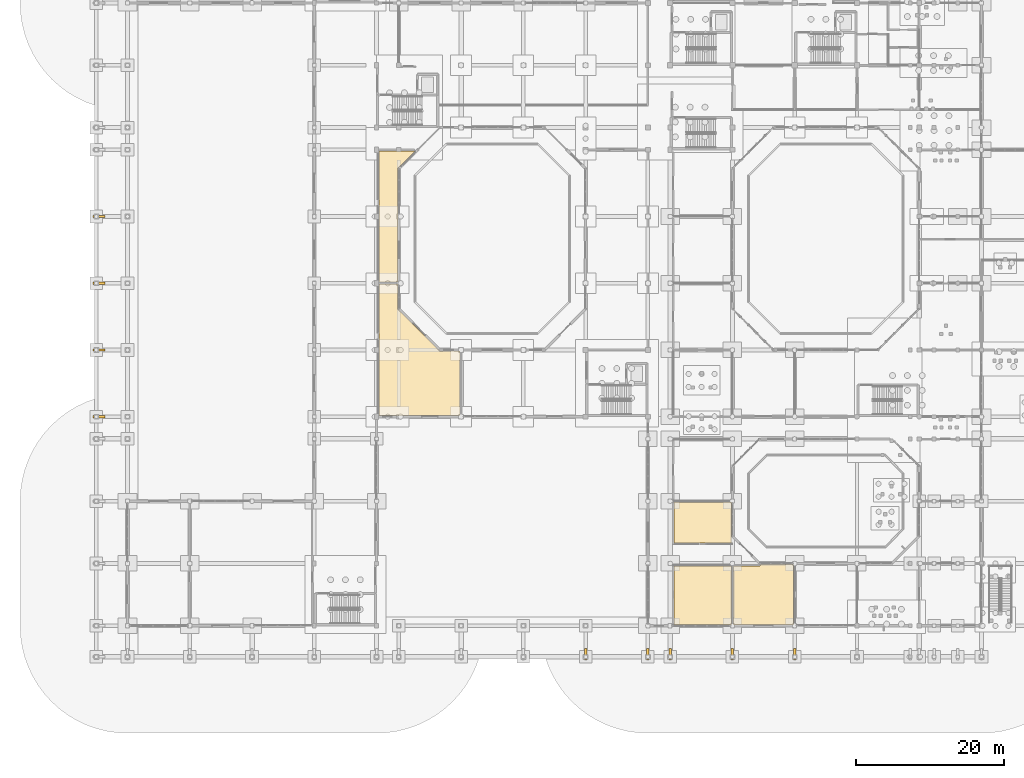
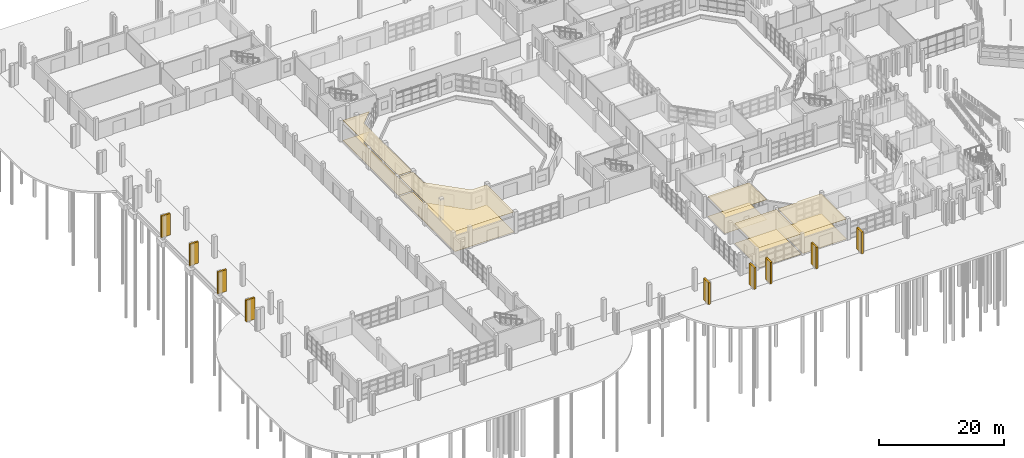
# One storey, part 72 of 88: 19 coverings.
"""IFC4 building model written with IfcOpenShell, lengths in metres."""

from ifc_helpers import new_model, si_unit, direction, frame, origin, origin_2d, place, context, subcontext, project, spatial, polyline, rectangle, outline, extrude, material, layer, layer_set, type_object, element, save


model = new_model("IFC4")

# Units and contexts
model_context = context("Model", 3, precision=1e-05, world=origin(), true_north=direction((0.0, 1.0)))
body_context = subcontext(model_context, "Body", "Model", "MODEL_VIEW")
ifc_project = project(units=[si_unit("LENGTHUNIT", "METRE"), si_unit("AREAUNIT", "SQUARE_METRE"), si_unit("VOLUMEUNIT", "CUBIC_METRE"), si_unit("PLANEANGLEUNIT", "RADIAN"), si_unit("MASSUNIT", "GRAM", prefix="KILO")], contexts=[model_context])

# Site, building, storey
site_placement = place(None, origin())
site = spatial("IfcSite", under=ifc_project, at=site_placement, CompositionType="ELEMENT")
building_placement = place(site_placement, origin())
building = spatial("IfcBuilding", under=site, at=building_placement, Name="Vanh Quang Courtyard School", CompositionType="ELEMENT")
storey_placement = place(building_placement, origin())
storey = spatial("IfcBuildingStorey", under=building, at=storey_placement, Name="L00", CompositionType="ELEMENT", Elevation=0.0)

# Coverings
ifc_material_1 = material(Name="Perforated mineral-fibre acoustic ceiling board")
ifc_layer_1 = layer(ifc_material_1, 0.02490234375)
ifc_layer_set_1 = layer_set([ifc_layer_1], Name="Perforated mineral-fibre acoustic ceiling board")
covering_type_1 = type_object("IfcCoveringType", Name="COV-CEIL-ACOUSTIC", PredefinedType="CEILING", material=ifc_layer_set_1)
covering_1_placement = place(storey_placement, frame((0.0, 0.0, 3.89501953125)))
element("IfcCovering", 1, at=covering_1_placement, inside=storey, type_object=covering_type_1, Name="Covering CV-CL1 (L00)", PredefinedType="CEILING", context=body_context, shape_type="SweptSolid", body=[
    extrude(outline(polyline([(38.159912109375, 32.530029296875), (38.158935546875, 32.530029296875), (38.157958984375, 32.5302734375), (38.156982421875, 32.530517578125), (38.15625, 32.53076171875), (38.1552734375, 32.53125), (38.154296875, 32.53173828125), (38.15380859375, 32.5322265625), (38.15283203125, 32.532958984375), (38.15234375, 32.53369140625), (38.151611328125, 32.534423828125), (38.151123046875, 32.535400390625), (38.15087890625, 32.5361328125), (38.150390625, 32.537109375), (38.150146484375, 32.5380859375), (38.14990234375, 32.5390625), (38.14990234375, 32.5400390625), (38.14990234375, 50.260009765625), (38.14990234375, 50.260986328125), (38.150146484375, 50.261962890625), (38.150390625, 50.262939453125), (38.15087890625, 50.263916015625), (38.151123046875, 50.2646484375), (38.151611328125, 50.265625), (38.15234375, 50.266357421875), (38.15283203125, 50.26708984375), (38.15380859375, 50.267578125), (38.154296875, 50.268310546875), (38.1552734375, 50.268798828125), (38.15625, 50.269287109375), (38.156982421875, 50.26953125), (38.157958984375, 50.269775390625), (38.158935546875, 50.27001953125), (38.159912109375, 50.27001953125), (40.659912109375, 50.27001953125), (40.660888671875, 50.27001953125), (40.662109375, 50.269775390625), (40.662841796875, 50.26953125), (40.663818359375, 50.269287109375), (40.664794921875, 50.268798828125), (40.66552734375, 50.268310546875), (40.666259765625, 50.267578125), (40.6669921875, 50.26708984375), (40.667724609375, 50.266357421875), (40.668212890625, 50.265625), (40.668701171875, 50.2646484375), (40.669189453125, 50.263916015625), (40.669677734375, 50.262939453125), (40.669921875, 50.261962890625), (40.669921875, 50.260986328125), (40.669921875, 50.260009765625), (40.669921875, 46.945068359375), (40.68017578125, 46.894287109375), (40.708740234375, 46.851318359375), (46.27197265625, 41.2919921875), (46.306396484375, 41.275634765625), (46.3447265625, 41.27001953125), (49.06005859375, 41.27001953125), (49.06103515625, 41.27001953125), (49.06201171875, 41.269775390625), (49.06298828125, 41.26953125), (49.063720703125, 41.269287109375), (49.064697265625, 41.268798828125), (49.065673828125, 41.268310546875), (49.06640625, 41.267578125), (49.067138671875, 41.26708984375), (49.067626953125, 41.266357421875), (49.068359375, 41.265625), (49.06884765625, 41.2646484375), (49.069091796875, 41.263916015625), (49.069580078125, 41.262939453125), (49.06982421875, 41.261962890625), (49.070068359375, 41.260986328125), (49.070068359375, 41.260009765625), (49.070068359375, 32.5400390625), (49.070068359375, 32.5390625), (49.06982421875, 32.5380859375), (49.069580078125, 32.537109375), (49.069091796875, 32.5361328125), (49.06884765625, 32.535400390625), (49.068359375, 32.534423828125), (49.067626953125, 32.53369140625), (49.067138671875, 32.532958984375), (49.06640625, 32.5322265625), (49.065673828125, 32.53173828125), (49.064697265625, 32.53125), (49.063720703125, 32.53076171875), (49.06298828125, 32.530517578125), (49.06201171875, 32.5302734375), (49.06103515625, 32.530029296875), (49.06005859375, 32.530029296875), (38.159912109375, 32.530029296875)])), origin(), (0.0, 0.0, 1.0), 0.02490234375),
])
covering_2_placement = place(storey_placement, frame((0.0, 0.0, 3.89501953125)))
element("IfcCovering", 2, at=covering_2_placement, inside=storey, type_object=covering_type_1, Name="Covering CV-CL1 (L00)", PredefinedType="CEILING", context=body_context, shape_type="SweptSolid", body=[
    extrude(outline(polyline([(38.159912109375, 50.550048828125), (38.158935546875, 50.550048828125), (38.157958984375, 50.55029296875), (38.156982421875, 50.55029296875), (38.15625, 50.55078125), (38.1552734375, 50.55126953125), (38.154296875, 50.5517578125), (38.15380859375, 50.55224609375), (38.15283203125, 50.552978515625), (38.15234375, 50.5537109375), (38.151611328125, 50.554443359375), (38.151123046875, 50.555419921875), (38.15087890625, 50.55615234375), (38.150390625, 50.55712890625), (38.150146484375, 50.55810546875), (38.14990234375, 50.55908203125), (38.14990234375, 50.56005859375), (38.14990234375, 68.260009765625), (38.14990234375, 68.260986328125), (38.150146484375, 68.261962890625), (38.150390625, 68.262939453125), (38.15087890625, 68.263916015625), (38.151123046875, 68.2646484375), (38.151611328125, 68.265625), (38.15234375, 68.266357421875), (38.15283203125, 68.26708984375), (38.15380859375, 68.267578125), (38.154296875, 68.268310546875), (38.1552734375, 68.268798828125), (38.15625, 68.269287109375), (38.156982421875, 68.26953125), (38.157958984375, 68.269775390625), (38.158935546875, 68.27001953125), (38.159912109375, 68.27001953125), (43.006103515625, 68.27001953125), (43.007080078125, 68.27001953125), (43.008056640625, 68.269775390625), (43.0087890625, 68.26953125), (43.009765625, 68.269287109375), (43.0107421875, 68.268798828125), (43.01171875, 68.268310546875), (43.01220703125, 68.267578125), (43.01318359375, 68.26708984375), (43.013671875, 68.266357421875), (43.014404296875, 68.265625), (43.014892578125, 68.2646484375), (43.01513671875, 68.263916015625), (43.015625, 68.262939453125), (43.015869140625, 68.261962890625), (43.01611328125, 68.260986328125), (43.01611328125, 68.260009765625), (43.01611328125, 68.259033203125), (43.015869140625, 68.258056640625), (43.015625, 68.257080078125), (43.01513671875, 68.256103515625), (43.014892578125, 68.25537109375), (43.014404296875, 68.25439453125), (43.013671875, 68.253662109375), (43.01318359375, 68.2529296875), (40.708740234375, 65.948486328125), (40.679931640625, 65.905517578125), (40.670654296875, 65.868408203125), (40.669921875, 50.56005859375), (40.669921875, 50.55908203125), (40.669921875, 50.55810546875), (40.669677734375, 50.55712890625), (40.669189453125, 50.55615234375), (40.668701171875, 50.555419921875), (40.668212890625, 50.554443359375), (40.667724609375, 50.5537109375), (40.6669921875, 50.552978515625), (40.666259765625, 50.55224609375), (40.66552734375, 50.5517578125), (40.664794921875, 50.55126953125), (40.663818359375, 50.55078125), (40.662841796875, 50.55029296875), (40.662109375, 50.55029296875), (40.660888671875, 50.550048828125), (40.659912109375, 50.550048828125), (38.159912109375, 50.550048828125)])), origin(), (0.0, 0.0, 1.0), 0.02490234375),
])
covering_3_placement = place(storey_placement, frame((0.0, 0.0, 3.89501953125)))
element("IfcCovering", 3, at=covering_3_placement, inside=storey, type_object=covering_type_1, Name="Covering CV-CL1 (L00)", PredefinedType="CEILING", context=body_context, shape_type="SweptSolid", body=[
    extrude(outline(polyline([(77.9599609375, 4.330078125), (77.958984375, 4.330078125), (77.9580078125, 4.330078125), (77.95703125, 4.330322265625), (77.956298828125, 4.330810546875), (77.955322265625, 4.331298828125), (77.954345703125, 4.331787109375), (77.95361328125, 4.332275390625), (77.952880859375, 4.3330078125), (77.952392578125, 4.333740234375), (77.95166015625, 4.33447265625), (77.951171875, 4.335205078125), (77.95068359375, 4.336181640625), (77.950439453125, 4.337158203125), (77.9501953125, 4.337890625), (77.949951171875, 4.339111328125), (77.949951171875, 4.340087890625), (77.949951171875, 12.239990234375), (77.949951171875, 12.240966796875), (77.9501953125, 12.241943359375), (77.950439453125, 12.242919921875), (77.95068359375, 12.243896484375), (77.951171875, 12.24462890625), (77.95166015625, 12.24560546875), (77.952392578125, 12.246337890625), (77.952880859375, 12.2470703125), (77.95361328125, 12.247802734375), (77.954345703125, 12.248291015625), (77.955322265625, 12.248779296875), (77.956298828125, 12.249267578125), (77.95703125, 12.24951171875), (77.9580078125, 12.249755859375), (77.958984375, 12.25), (77.9599609375, 12.25), (85.659912109375, 12.25), (85.660888671875, 12.25), (85.662109375, 12.249755859375), (85.662841796875, 12.24951171875), (85.663818359375, 12.249267578125), (85.664794921875, 12.248779296875), (85.66552734375, 12.248291015625), (85.666259765625, 12.247802734375), (85.6669921875, 12.2470703125), (85.667724609375, 12.246337890625), (85.668212890625, 12.24560546875), (85.668701171875, 12.24462890625), (85.669189453125, 12.243896484375), (85.669677734375, 12.242919921875), (85.669921875, 12.241943359375), (85.669921875, 12.240966796875), (85.669921875, 12.239990234375), (85.669921875, 4.340087890625), (85.669921875, 4.339111328125), (85.669921875, 4.337890625), (85.669677734375, 4.337158203125), (85.669189453125, 4.336181640625), (85.668701171875, 4.335205078125), (85.668212890625, 4.33447265625), (85.667724609375, 4.333740234375), (85.6669921875, 4.3330078125), (85.666259765625, 4.332275390625), (85.66552734375, 4.331787109375), (85.664794921875, 4.331298828125), (85.663818359375, 4.330810546875), (85.662841796875, 4.330322265625), (85.662109375, 4.330078125), (85.660888671875, 4.330078125), (85.659912109375, 4.330078125), (77.9599609375, 4.330078125)])), origin(), (0.0, 0.0, 1.0), 0.02490234375),
])
covering_4_placement = place(storey_placement, frame((0.0, 0.0, 3.89501953125)))
element("IfcCovering", 4, at=covering_4_placement, inside=storey, type_object=covering_type_1, Name="Covering CV-CL1 (L00)", PredefinedType="CEILING", context=body_context, shape_type="SweptSolid", body=[
    extrude(outline(polyline([(77.9599609375, 15.35009765625), (77.958984375, 15.35009765625), (77.9580078125, 15.35009765625), (77.95703125, 15.350341796875), (77.956298828125, 15.350830078125), (77.955322265625, 15.351318359375), (77.954345703125, 15.351806640625), (77.95361328125, 15.352294921875), (77.952880859375, 15.352783203125), (77.952392578125, 15.353759765625), (77.95166015625, 15.3544921875), (77.951171875, 15.355224609375), (77.95068359375, 15.356201171875), (77.950439453125, 15.357177734375), (77.9501953125, 15.35791015625), (77.949951171875, 15.35888671875), (77.949951171875, 15.360107421875), (77.949951171875, 20.860107421875), (77.949951171875, 20.861083984375), (77.9501953125, 20.862060546875), (77.950439453125, 20.86279296875), (77.95068359375, 20.86376953125), (77.951171875, 20.86474609375), (77.95166015625, 20.865478515625), (77.952392578125, 20.8662109375), (77.952880859375, 20.8671875), (77.95361328125, 20.86767578125), (77.954345703125, 20.868408203125), (77.955322265625, 20.868896484375), (77.956298828125, 20.869140625), (77.95703125, 20.86962890625), (77.9580078125, 20.869873046875), (77.958984375, 20.8701171875), (77.9599609375, 20.8701171875), (85.659912109375, 20.8701171875), (85.660888671875, 20.8701171875), (85.662109375, 20.869873046875), (85.662841796875, 20.86962890625), (85.663818359375, 20.869140625), (85.664794921875, 20.868896484375), (85.66552734375, 20.868408203125), (85.666259765625, 20.86767578125), (85.6669921875, 20.8671875), (85.667724609375, 20.8662109375), (85.668212890625, 20.865478515625), (85.668701171875, 20.86474609375), (85.669189453125, 20.86376953125), (85.669677734375, 20.86279296875), (85.669921875, 20.862060546875), (85.669921875, 20.861083984375), (85.669921875, 20.860107421875), (85.669921875, 15.360107421875), (85.669921875, 15.35888671875), (85.669921875, 15.35791015625), (85.669677734375, 15.357177734375), (85.669189453125, 15.356201171875), (85.668701171875, 15.355224609375), (85.668212890625, 15.3544921875), (85.667724609375, 15.353759765625), (85.6669921875, 15.352783203125), (85.666259765625, 15.352294921875), (85.66552734375, 15.351806640625), (85.664794921875, 15.351318359375), (85.663818359375, 15.350830078125), (85.662841796875, 15.350341796875), (85.662109375, 15.35009765625), (85.660888671875, 15.35009765625), (85.659912109375, 15.35009765625), (77.9599609375, 15.35009765625)])), origin(), (0.0, 0.0, 1.0), 0.02490234375),
])
covering_5_placement = place(storey_placement, frame((0.0, 0.0, 3.89501953125)))
element("IfcCovering", 5, at=covering_5_placement, inside=storey, type_object=covering_type_1, Name="Covering CV-CL1 (L00)", PredefinedType="CEILING", context=body_context, shape_type="SweptSolid", body=[
    extrude(outline(polyline([(85.9599609375, 4.330078125), (85.958984375, 4.330078125), (85.9580078125, 4.330078125), (85.95703125, 4.330322265625), (85.956298828125, 4.330810546875), (85.955322265625, 4.331298828125), (85.954345703125, 4.331787109375), (85.95361328125, 4.332275390625), (85.952880859375, 4.3330078125), (85.952392578125, 4.333740234375), (85.95166015625, 4.33447265625), (85.951171875, 4.335205078125), (85.95068359375, 4.336181640625), (85.950439453125, 4.337158203125), (85.9501953125, 4.337890625), (85.949951171875, 4.339111328125), (85.949951171875, 4.340087890625), (85.949951171875, 12.239990234375), (85.949951171875, 12.240966796875), (85.9501953125, 12.241943359375), (85.950439453125, 12.242919921875), (85.95068359375, 12.243896484375), (85.951171875, 12.24462890625), (85.95166015625, 12.24560546875), (85.952392578125, 12.246337890625), (85.952880859375, 12.2470703125), (85.95361328125, 12.247802734375), (85.954345703125, 12.248291015625), (85.955322265625, 12.248779296875), (85.956298828125, 12.249267578125), (85.95703125, 12.24951171875), (85.9580078125, 12.249755859375), (85.958984375, 12.25), (85.9599609375, 12.25), (89.37939453125, 12.2509765625), (89.462646484375, 12.269775390625), (89.547119140625, 12.3203125), (89.6025390625, 12.384521484375), (89.637939453125, 12.464111328125), (89.63818359375, 12.46484375), (89.638916015625, 12.4658203125), (89.639404296875, 12.466552734375), (89.639892578125, 12.46728515625), (89.640869140625, 12.4677734375), (89.6416015625, 12.468505859375), (89.642333984375, 12.468994140625), (89.643310546875, 12.46923828125), (89.644287109375, 12.469482421875), (89.64501953125, 12.4697265625), (89.64599609375, 12.469970703125), (89.64697265625, 12.469970703125), (94.06005859375, 12.469970703125), (94.06103515625, 12.469970703125), (94.06201171875, 12.4697265625), (94.06298828125, 12.469482421875), (94.063720703125, 12.46923828125), (94.064697265625, 12.46875), (94.065673828125, 12.46826171875), (94.06640625, 12.4677734375), (94.067138671875, 12.467041015625), (94.067626953125, 12.46630859375), (94.068359375, 12.465576171875), (94.06884765625, 12.464599609375), (94.069091796875, 12.4638671875), (94.069580078125, 12.462890625), (94.06982421875, 12.4619140625), (94.070068359375, 12.4609375), (94.070068359375, 12.4599609375), (94.070068359375, 4.340087890625), (94.070068359375, 4.339111328125), (94.06982421875, 4.337890625), (94.069580078125, 4.337158203125), (94.069091796875, 4.336181640625), (94.06884765625, 4.335205078125), (94.068359375, 4.33447265625), (94.067626953125, 4.333740234375), (94.067138671875, 4.3330078125), (94.06640625, 4.332275390625), (94.065673828125, 4.331787109375), (94.064697265625, 4.331298828125), (94.063720703125, 4.330810546875), (94.06298828125, 4.330322265625), (94.06201171875, 4.330078125), (94.06103515625, 4.330078125), (94.06005859375, 4.330078125), (85.9599609375, 4.330078125)])), origin(), (0.0, 0.0, 1.0), 0.02490234375),
])
ifc_material_2 = material(Name="Polished cementitious terrazzo tile", Category="concrete")
ifc_layer_2 = layer(ifc_material_2, 0.02001953125)
ifc_layer_set_2 = layer_set([ifc_layer_2], Name="Polished cementitious terrazzo tile")
covering_type_2 = type_object("IfcCoveringType", Name="COV-FLR-TERRAZZO", PredefinedType="FLOORING", material=ifc_layer_set_2)
covering_6_placement = place(storey_placement, origin())
element("IfcCovering", 6, at=covering_6_placement, inside=storey, type_object=covering_type_2, Name="Covering CV-FL1 (L00)", PredefinedType="FLOORING", context=body_context, shape_type="SweptSolid", body=[
    extrude(outline(polyline([(38.159912109375, 32.530029296875), (38.158935546875, 32.530029296875), (38.157958984375, 32.5302734375), (38.156982421875, 32.530517578125), (38.15625, 32.53076171875), (38.1552734375, 32.53125), (38.154296875, 32.53173828125), (38.15380859375, 32.5322265625), (38.15283203125, 32.532958984375), (38.15234375, 32.53369140625), (38.151611328125, 32.534423828125), (38.151123046875, 32.535400390625), (38.15087890625, 32.5361328125), (38.150390625, 32.537109375), (38.150146484375, 32.5380859375), (38.14990234375, 32.5390625), (38.14990234375, 32.5400390625), (38.14990234375, 50.260009765625), (38.14990234375, 50.260986328125), (38.150146484375, 50.261962890625), (38.150390625, 50.262939453125), (38.15087890625, 50.263916015625), (38.151123046875, 50.2646484375), (38.151611328125, 50.265625), (38.15234375, 50.266357421875), (38.15283203125, 50.26708984375), (38.15380859375, 50.267578125), (38.154296875, 50.268310546875), (38.1552734375, 50.268798828125), (38.15625, 50.269287109375), (38.156982421875, 50.26953125), (38.157958984375, 50.269775390625), (38.158935546875, 50.27001953125), (38.159912109375, 50.27001953125), (40.659912109375, 50.27001953125), (40.660888671875, 50.27001953125), (40.662109375, 50.269775390625), (40.662841796875, 50.26953125), (40.663818359375, 50.269287109375), (40.664794921875, 50.268798828125), (40.66552734375, 50.268310546875), (40.666259765625, 50.267578125), (40.6669921875, 50.26708984375), (40.667724609375, 50.266357421875), (40.668212890625, 50.265625), (40.668701171875, 50.2646484375), (40.669189453125, 50.263916015625), (40.669677734375, 50.262939453125), (40.669921875, 50.261962890625), (40.669921875, 50.260986328125), (40.669921875, 50.260009765625), (40.669921875, 46.945068359375), (40.68017578125, 46.894287109375), (40.708740234375, 46.851318359375), (46.27197265625, 41.2919921875), (46.306396484375, 41.275634765625), (46.3447265625, 41.27001953125), (49.06005859375, 41.27001953125), (49.06103515625, 41.27001953125), (49.06201171875, 41.269775390625), (49.06298828125, 41.26953125), (49.063720703125, 41.269287109375), (49.064697265625, 41.268798828125), (49.065673828125, 41.268310546875), (49.06640625, 41.267578125), (49.067138671875, 41.26708984375), (49.067626953125, 41.266357421875), (49.068359375, 41.265625), (49.06884765625, 41.2646484375), (49.069091796875, 41.263916015625), (49.069580078125, 41.262939453125), (49.06982421875, 41.261962890625), (49.070068359375, 41.260986328125), (49.070068359375, 41.260009765625), (49.070068359375, 32.5400390625), (49.070068359375, 32.5390625), (49.06982421875, 32.5380859375), (49.069580078125, 32.537109375), (49.069091796875, 32.5361328125), (49.06884765625, 32.535400390625), (49.068359375, 32.534423828125), (49.067626953125, 32.53369140625), (49.067138671875, 32.532958984375), (49.06640625, 32.5322265625), (49.065673828125, 32.53173828125), (49.064697265625, 32.53125), (49.063720703125, 32.53076171875), (49.06298828125, 32.530517578125), (49.06201171875, 32.5302734375), (49.06103515625, 32.530029296875), (49.06005859375, 32.530029296875), (38.159912109375, 32.530029296875)])), origin(), (0.0, 0.0, 1.0), 0.02001953125),
])
covering_7_placement = place(storey_placement, origin())
element("IfcCovering", 7, at=covering_7_placement, inside=storey, type_object=covering_type_2, Name="Covering CV-FL1 (L00)", PredefinedType="FLOORING", context=body_context, shape_type="SweptSolid", body=[
    extrude(outline(polyline([(38.159912109375, 50.550048828125), (38.158935546875, 50.550048828125), (38.157958984375, 50.55029296875), (38.156982421875, 50.55029296875), (38.15625, 50.55078125), (38.1552734375, 50.55126953125), (38.154296875, 50.5517578125), (38.15380859375, 50.55224609375), (38.15283203125, 50.552978515625), (38.15234375, 50.5537109375), (38.151611328125, 50.554443359375), (38.151123046875, 50.555419921875), (38.15087890625, 50.55615234375), (38.150390625, 50.55712890625), (38.150146484375, 50.55810546875), (38.14990234375, 50.55908203125), (38.14990234375, 50.56005859375), (38.14990234375, 68.260009765625), (38.14990234375, 68.260986328125), (38.150146484375, 68.261962890625), (38.150390625, 68.262939453125), (38.15087890625, 68.263916015625), (38.151123046875, 68.2646484375), (38.151611328125, 68.265625), (38.15234375, 68.266357421875), (38.15283203125, 68.26708984375), (38.15380859375, 68.267578125), (38.154296875, 68.268310546875), (38.1552734375, 68.268798828125), (38.15625, 68.269287109375), (38.156982421875, 68.26953125), (38.157958984375, 68.269775390625), (38.158935546875, 68.27001953125), (38.159912109375, 68.27001953125), (43.006103515625, 68.27001953125), (43.007080078125, 68.27001953125), (43.008056640625, 68.269775390625), (43.0087890625, 68.26953125), (43.009765625, 68.269287109375), (43.0107421875, 68.268798828125), (43.01171875, 68.268310546875), (43.01220703125, 68.267578125), (43.01318359375, 68.26708984375), (43.013671875, 68.266357421875), (43.014404296875, 68.265625), (43.014892578125, 68.2646484375), (43.01513671875, 68.263916015625), (43.015625, 68.262939453125), (43.015869140625, 68.261962890625), (43.01611328125, 68.260986328125), (43.01611328125, 68.260009765625), (43.01611328125, 68.259033203125), (43.015869140625, 68.258056640625), (43.015625, 68.257080078125), (43.01513671875, 68.256103515625), (43.014892578125, 68.25537109375), (43.014404296875, 68.25439453125), (43.013671875, 68.253662109375), (43.01318359375, 68.2529296875), (40.708740234375, 65.948486328125), (40.679931640625, 65.905517578125), (40.670654296875, 65.868408203125), (40.669921875, 50.56005859375), (40.669921875, 50.55908203125), (40.669921875, 50.55810546875), (40.669677734375, 50.55712890625), (40.669189453125, 50.55615234375), (40.668701171875, 50.555419921875), (40.668212890625, 50.554443359375), (40.667724609375, 50.5537109375), (40.6669921875, 50.552978515625), (40.666259765625, 50.55224609375), (40.66552734375, 50.5517578125), (40.664794921875, 50.55126953125), (40.663818359375, 50.55078125), (40.662841796875, 50.55029296875), (40.662109375, 50.55029296875), (40.660888671875, 50.550048828125), (40.659912109375, 50.550048828125), (38.159912109375, 50.550048828125)])), origin(), (0.0, 0.0, 1.0), 0.02001953125),
])
covering_8_placement = place(storey_placement, origin())
element("IfcCovering", 8, at=covering_8_placement, inside=storey, type_object=covering_type_2, Name="Covering CV-FL1 (L00)", PredefinedType="FLOORING", context=body_context, shape_type="SweptSolid", body=[
    extrude(outline(polyline([(77.9599609375, 4.330078125), (77.958984375, 4.330078125), (77.9580078125, 4.330078125), (77.95703125, 4.330322265625), (77.956298828125, 4.330810546875), (77.955322265625, 4.331298828125), (77.954345703125, 4.331787109375), (77.95361328125, 4.332275390625), (77.952880859375, 4.3330078125), (77.952392578125, 4.333740234375), (77.95166015625, 4.33447265625), (77.951171875, 4.335205078125), (77.95068359375, 4.336181640625), (77.950439453125, 4.337158203125), (77.9501953125, 4.337890625), (77.949951171875, 4.339111328125), (77.949951171875, 4.340087890625), (77.949951171875, 12.239990234375), (77.949951171875, 12.240966796875), (77.9501953125, 12.241943359375), (77.950439453125, 12.242919921875), (77.95068359375, 12.243896484375), (77.951171875, 12.24462890625), (77.95166015625, 12.24560546875), (77.952392578125, 12.246337890625), (77.952880859375, 12.2470703125), (77.95361328125, 12.247802734375), (77.954345703125, 12.248291015625), (77.955322265625, 12.248779296875), (77.956298828125, 12.249267578125), (77.95703125, 12.24951171875), (77.9580078125, 12.249755859375), (77.958984375, 12.25), (77.9599609375, 12.25), (85.659912109375, 12.25), (85.660888671875, 12.25), (85.662109375, 12.249755859375), (85.662841796875, 12.24951171875), (85.663818359375, 12.249267578125), (85.664794921875, 12.248779296875), (85.66552734375, 12.248291015625), (85.666259765625, 12.247802734375), (85.6669921875, 12.2470703125), (85.667724609375, 12.246337890625), (85.668212890625, 12.24560546875), (85.668701171875, 12.24462890625), (85.669189453125, 12.243896484375), (85.669677734375, 12.242919921875), (85.669921875, 12.241943359375), (85.669921875, 12.240966796875), (85.669921875, 12.239990234375), (85.669921875, 4.340087890625), (85.669921875, 4.339111328125), (85.669921875, 4.337890625), (85.669677734375, 4.337158203125), (85.669189453125, 4.336181640625), (85.668701171875, 4.335205078125), (85.668212890625, 4.33447265625), (85.667724609375, 4.333740234375), (85.6669921875, 4.3330078125), (85.666259765625, 4.332275390625), (85.66552734375, 4.331787109375), (85.664794921875, 4.331298828125), (85.663818359375, 4.330810546875), (85.662841796875, 4.330322265625), (85.662109375, 4.330078125), (85.660888671875, 4.330078125), (85.659912109375, 4.330078125), (77.9599609375, 4.330078125)])), origin(), (0.0, 0.0, 1.0), 0.02001953125),
])
covering_9_placement = place(storey_placement, origin())
element("IfcCovering", 9, at=covering_9_placement, inside=storey, type_object=covering_type_2, Name="Covering CV-FL1 (L00)", PredefinedType="FLOORING", context=body_context, shape_type="SweptSolid", body=[
    extrude(outline(polyline([(77.9599609375, 15.35009765625), (77.958984375, 15.35009765625), (77.9580078125, 15.35009765625), (77.95703125, 15.350341796875), (77.956298828125, 15.350830078125), (77.955322265625, 15.351318359375), (77.954345703125, 15.351806640625), (77.95361328125, 15.352294921875), (77.952880859375, 15.352783203125), (77.952392578125, 15.353759765625), (77.95166015625, 15.3544921875), (77.951171875, 15.355224609375), (77.95068359375, 15.356201171875), (77.950439453125, 15.357177734375), (77.9501953125, 15.35791015625), (77.949951171875, 15.35888671875), (77.949951171875, 15.360107421875), (77.949951171875, 20.860107421875), (77.949951171875, 20.861083984375), (77.9501953125, 20.862060546875), (77.950439453125, 20.86279296875), (77.95068359375, 20.86376953125), (77.951171875, 20.86474609375), (77.95166015625, 20.865478515625), (77.952392578125, 20.8662109375), (77.952880859375, 20.8671875), (77.95361328125, 20.86767578125), (77.954345703125, 20.868408203125), (77.955322265625, 20.868896484375), (77.956298828125, 20.869140625), (77.95703125, 20.86962890625), (77.9580078125, 20.869873046875), (77.958984375, 20.8701171875), (77.9599609375, 20.8701171875), (85.659912109375, 20.8701171875), (85.660888671875, 20.8701171875), (85.662109375, 20.869873046875), (85.662841796875, 20.86962890625), (85.663818359375, 20.869140625), (85.664794921875, 20.868896484375), (85.66552734375, 20.868408203125), (85.666259765625, 20.86767578125), (85.6669921875, 20.8671875), (85.667724609375, 20.8662109375), (85.668212890625, 20.865478515625), (85.668701171875, 20.86474609375), (85.669189453125, 20.86376953125), (85.669677734375, 20.86279296875), (85.669921875, 20.862060546875), (85.669921875, 20.861083984375), (85.669921875, 20.860107421875), (85.669921875, 15.360107421875), (85.669921875, 15.35888671875), (85.669921875, 15.35791015625), (85.669677734375, 15.357177734375), (85.669189453125, 15.356201171875), (85.668701171875, 15.355224609375), (85.668212890625, 15.3544921875), (85.667724609375, 15.353759765625), (85.6669921875, 15.352783203125), (85.666259765625, 15.352294921875), (85.66552734375, 15.351806640625), (85.664794921875, 15.351318359375), (85.663818359375, 15.350830078125), (85.662841796875, 15.350341796875), (85.662109375, 15.35009765625), (85.660888671875, 15.35009765625), (85.659912109375, 15.35009765625), (77.9599609375, 15.35009765625)])), origin(), (0.0, 0.0, 1.0), 0.02001953125),
])
covering_10_placement = place(storey_placement, origin())
element("IfcCovering", 10, at=covering_10_placement, inside=storey, type_object=covering_type_2, Name="Covering CV-FL1 (L00)", PredefinedType="FLOORING", context=body_context, shape_type="SweptSolid", body=[
    extrude(outline(polyline([(85.9599609375, 4.330078125), (85.958984375, 4.330078125), (85.9580078125, 4.330078125), (85.95703125, 4.330322265625), (85.956298828125, 4.330810546875), (85.955322265625, 4.331298828125), (85.954345703125, 4.331787109375), (85.95361328125, 4.332275390625), (85.952880859375, 4.3330078125), (85.952392578125, 4.333740234375), (85.95166015625, 4.33447265625), (85.951171875, 4.335205078125), (85.95068359375, 4.336181640625), (85.950439453125, 4.337158203125), (85.9501953125, 4.337890625), (85.949951171875, 4.339111328125), (85.949951171875, 4.340087890625), (85.949951171875, 12.239990234375), (85.949951171875, 12.240966796875), (85.9501953125, 12.241943359375), (85.950439453125, 12.242919921875), (85.95068359375, 12.243896484375), (85.951171875, 12.24462890625), (85.95166015625, 12.24560546875), (85.952392578125, 12.246337890625), (85.952880859375, 12.2470703125), (85.95361328125, 12.247802734375), (85.954345703125, 12.248291015625), (85.955322265625, 12.248779296875), (85.956298828125, 12.249267578125), (85.95703125, 12.24951171875), (85.9580078125, 12.249755859375), (85.958984375, 12.25), (85.9599609375, 12.25), (89.37939453125, 12.2509765625), (89.462646484375, 12.269775390625), (89.547119140625, 12.3203125), (89.6025390625, 12.384521484375), (89.637939453125, 12.464111328125), (89.63818359375, 12.46484375), (89.638916015625, 12.4658203125), (89.639404296875, 12.466552734375), (89.639892578125, 12.46728515625), (89.640869140625, 12.4677734375), (89.6416015625, 12.468505859375), (89.642333984375, 12.468994140625), (89.643310546875, 12.46923828125), (89.644287109375, 12.469482421875), (89.64501953125, 12.4697265625), (89.64599609375, 12.469970703125), (89.64697265625, 12.469970703125), (94.06005859375, 12.469970703125), (94.06103515625, 12.469970703125), (94.06201171875, 12.4697265625), (94.06298828125, 12.469482421875), (94.063720703125, 12.46923828125), (94.064697265625, 12.46875), (94.065673828125, 12.46826171875), (94.06640625, 12.4677734375), (94.067138671875, 12.467041015625), (94.067626953125, 12.46630859375), (94.068359375, 12.465576171875), (94.06884765625, 12.464599609375), (94.069091796875, 12.4638671875), (94.069580078125, 12.462890625), (94.06982421875, 12.4619140625), (94.070068359375, 12.4609375), (94.070068359375, 12.4599609375), (94.070068359375, 4.340087890625), (94.070068359375, 4.339111328125), (94.06982421875, 4.337890625), (94.069580078125, 4.337158203125), (94.069091796875, 4.336181640625), (94.06884765625, 4.335205078125), (94.068359375, 4.33447265625), (94.067626953125, 4.333740234375), (94.067138671875, 4.3330078125), (94.06640625, 4.332275390625), (94.065673828125, 4.331787109375), (94.064697265625, 4.331298828125), (94.063720703125, 4.330810546875), (94.06298828125, 4.330322265625), (94.06201171875, 4.330078125), (94.06103515625, 4.330078125), (94.06005859375, 4.330078125), (85.9599609375, 4.330078125)])), origin(), (0.0, 0.0, 1.0), 0.02001953125),
])
ifc_material_3 = material(Name="Board-marked precast concrete C40/50", Category="concrete")
ifc_layer_3 = layer(ifc_material_3, 0.239990234375)
ifc_layer_set_3 = layer_set([ifc_layer_3], Name="Board-marked precast concrete C40/50")
covering_type_3 = type_object("IfcCoveringType", Name="COV-HOOD-CONC", PredefinedType="CLADDING", material=ifc_layer_set_3)
for number, where, z_axis, x_axis, name in (
    (11, (0.35009765625, 32.39990234375, 0.0), (0.0, 0.0, 1.0), (1.0, 0.0, 0.0), "Covering CH-01 (L00)"),
    (12, (0.35009765625, 41.39990234375, 0.0), (0.0, 0.0, 1.0), (1.0, 0.0, 0.0), "Covering CH-01 (L00)"),
    (13, (0.35009765625, 50.39990234375, 0.0), (0.0, 0.0, 1.0), (1.0, 0.0, 0.0), "Covering CH-01 (L00)"),
    (14, (0.35009765625, 59.39990234375, 0.0), (0.0, 0.0, 1.0), (1.0, 0.0, 0.0), "Covering CH-01 (L00)"),
    (15, (66.0, 0.35009765625, 0.0), (0.0, 0.0, 1.0), (0.0, 1.0, 0.0), "Covering CH-01 (L00)"),
    (16, (74.39990234375, 0.35009765625, 0.0), (0.0, 0.0, 1.0), (0.0, 1.0, 0.0), "Covering CH-01 (L00)"),
    (17, (77.39990234375, 0.35009765625, 0.0), (0.0, 0.0, 1.0), (0.0, 1.0, 0.0), "Covering CH-01 (L00)"),
    (18, (85.800048828125, 0.35009765625, 0.0), (0.0, 0.0, 1.0), (0.0, 1.0, 0.0), "Covering CH-01 (L00)"),
    (19, (94.199951171875, 0.35009765625, 0.0), (0.0, 0.0, 1.0), (0.0, 1.0, 0.0), "Covering CH-01 (L00)"),
):
    element("IfcCovering", number, at=place(storey_placement, frame(where, z_axis=z_axis, x_axis=x_axis)), inside=storey, type_object=covering_type_3, Name=name, PredefinedType="CLADDING", context=body_context, shape_type="SweptSolid", body=[
        extrude(rectangle(XDim=1.60009765625, YDim=0.320068359375, at=origin_2d()), origin(), (0.0, 0.0, 1.0), 4.199951171875),
    ])

save(model, "model.ifc")
